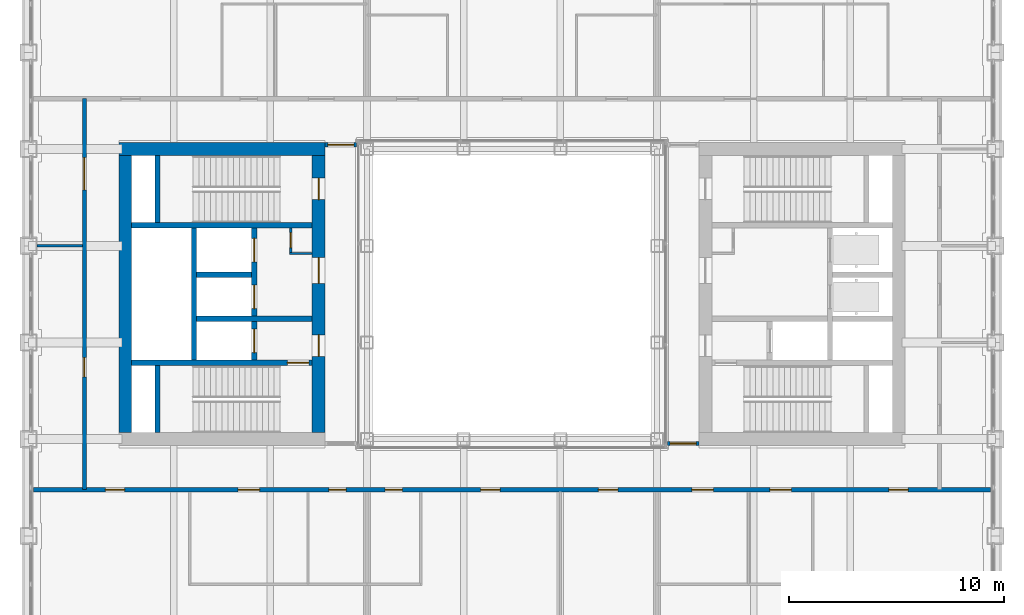
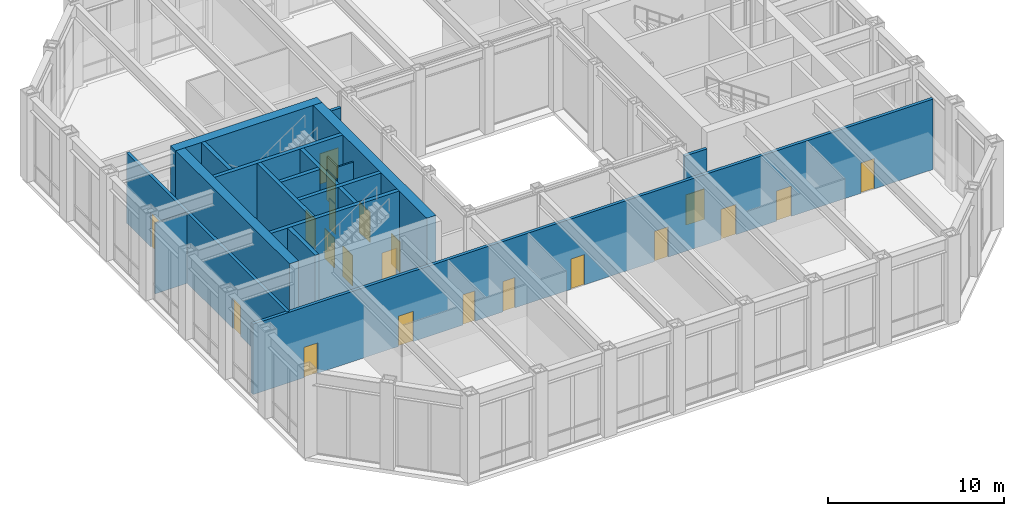
# One storey, part 13 of 22: 21 doors, 18 walls, 21 openings.
"""IFC4 building model written with IfcOpenShell, lengths in metres."""

import ifcopenshell
import ifcopenshell.guid

model = None  # the IFC model being written
_history = None  # IfcOwnerHistory: only IFC2X3 demands one
_inside = {}  # id of a spatial element -> (the spatial element, [elements in it])
_under = {}  # id of a project, library or spatial element -> (it, [spatial elements below it])
_declared = {}  # id of a project -> (the project, [libraries it declares])
_typed = {}  # id of a type object -> (the type object, [elements of that type])
_made_of = {}  # id of a material, layer set ... -> (it, [elements and type objects made of it])


def new_model(schema):
    """Start an empty IFC model of exactly this schema.

    Asked for "IFC4X3", IfcOpenShell would pick the latest addendum, in which some entities
    have other attributes; the version numbers below select the first issue.
    IFC2X3 requires an IfcOwnerHistory on every rooted entity: one is made here for all.
    """
    global model, _history
    if schema == "IFC4X3":
        model = ifcopenshell.file(schema_version=(4, 3, 0, 0))
    else:
        model = ifcopenshell.file(schema=schema)
    _inside.clear()
    _under.clear()
    _declared.clear()
    _typed.clear()
    _made_of.clear()
    _history = None
    if model.schema == "IFC2X3":
        org = make("IfcOrganization", Name="unknown")
        user = make(
            "IfcPersonAndOrganization",
            ThePerson=make("IfcPerson", FamilyName="unknown"),
            TheOrganization=org,
        )
        app = make(
            "IfcApplication",
            ApplicationDeveloper=org,
            Version="unknown",
            ApplicationFullName="unknown",
            ApplicationIdentifier="unknown",
        )
        _history = make(
            "IfcOwnerHistory",
            OwningUser=user,
            OwningApplication=app,
            ChangeAction="ADDED",
            CreationDate=0,
        )
    return model


def make(cls, **values):
    """One entity of the class cls with the attributes given. An attribute that is None is left unset."""
    return model.create_entity(
        cls, **{name: value for name, value in values.items() if value is not None}
    )


def rooted(cls, **values):
    """An entity with a GlobalId (a new one), such as an element, a storey or a relation."""
    return make(cls, GlobalId=ifcopenshell.guid.new(), OwnerHistory=_history, **values)


def si_unit(unit_type, name, prefix=None):
    """IfcSIUnit, for example si_unit("LENGTHUNIT", "METRE", prefix="MILLI")."""
    return make("IfcSIUnit", UnitType=unit_type, Prefix=prefix, Name=name)


def assignment(units):
    """IfcUnitAssignment: the units of a project."""
    return None if units is None else make("IfcUnitAssignment", Units=units)


def point(xyz):
    """IfcCartesianPoint."""
    return None if xyz is None else make("IfcCartesianPoint", Coordinates=xyz)


def direction(xyz):
    """IfcDirection."""
    return None if xyz is None else make("IfcDirection", DirectionRatios=xyz)


def frame(location, z_axis=None, x_axis=None):
    """IfcAxis2Placement3D, a coordinate frame: its origin and axes. An axis left out is left unset."""
    return make(
        "IfcAxis2Placement3D",
        Location=point(location),
        Axis=direction(z_axis),
        RefDirection=direction(x_axis),
    )


def frame_2d(location, x_axis=None):
    """IfcAxis2Placement2D, a coordinate frame in the plane: its origin and x axis."""
    return make(
        "IfcAxis2Placement2D", Location=point(location), RefDirection=direction(x_axis)
    )


def origin():
    """The frame at (0, 0, 0) with its axes left unset."""
    return frame((0.0, 0.0, 0.0))


def place(relative_to, where):
    """IfcLocalPlacement: puts the frame where relative to a parent placement (None: the world)."""
    return make(
        "IfcLocalPlacement", PlacementRelTo=relative_to, RelativePlacement=where
    )


def context(
    kind, dimensions, precision=None, world=None, true_north=None, identifier=None
):
    """IfcGeometricRepresentationContext, for example the 3D "Model" context."""
    return make(
        "IfcGeometricRepresentationContext",
        ContextIdentifier=identifier,
        ContextType=kind,
        CoordinateSpaceDimension=dimensions,
        Precision=precision,
        WorldCoordinateSystem=world,
        TrueNorth=true_north,
    )


def subcontext(parent, identifier, kind, view, scale=None):
    """IfcGeometricRepresentationSubContext, for example "Body" below "Model"."""
    return make(
        "IfcGeometricRepresentationSubContext",
        ContextIdentifier=identifier,
        ContextType=kind,
        ParentContext=parent,
        TargetScale=scale,
        TargetView=view,
    )


def project(units=None, contexts=None):
    """IfcProject with its units and contexts."""
    return rooted(
        "IfcProject",
        Name="project",
        RepresentationContexts=contexts,
        UnitsInContext=assignment(units),
    )


def spatial(cls, under=None, at=None, **own):
    """A site, building, storey or space (cls), placed at a placement, below another one or the project."""
    s = rooted(cls, ObjectPlacement=at, **own)
    if under is not None:
        _under.setdefault(under.id(), (under, []))[1].append(s)
    return s


def profile(cls, at=None, kind="AREA", **sizes):
    """A parametric profile (cls). Its sizes go by their IFC names, for example OverallWidth=200.0."""
    return make(cls, ProfileType=kind, Position=at, **sizes)


def rectangle(**sizes):
    """IfcRectangleProfileDef."""
    return profile("IfcRectangleProfileDef", **sizes)


def extrude(swept, where, along, depth):
    """IfcExtrudedAreaSolid: the profile swept, set in the frame where, extruded along a direction by depth."""
    return make(
        "IfcExtrudedAreaSolid",
        SweptArea=swept,
        Position=where,
        ExtrudedDirection=direction(along),
        Depth=depth,
    )


def shape(context_of_items, identifier, shape_type, items):
    """IfcShapeRepresentation: the items that make up one representation, for example the "Body"."""
    return make(
        "IfcShapeRepresentation",
        ContextOfItems=context_of_items,
        RepresentationIdentifier=identifier,
        RepresentationType=shape_type,
        Items=items,
    )


def material(Name=None, Category=None):
    """IfcMaterial."""
    return make("IfcMaterial", Name=Name, Category=Category)


def layer(
    of_material, thickness, ventilated=None, Name=None, Category=None, Priority=None
):
    """IfcMaterialLayer: one layer of a wall or slab, of a material (None: an air gap)."""
    return make(
        "IfcMaterialLayer",
        Material=of_material,
        LayerThickness=thickness,
        IsVentilated=ventilated,
        Name=Name,
        Category=Category,
        Priority=Priority,
    )


def layer_set(layers, Name=None):
    """IfcMaterialLayerSet."""
    return make("IfcMaterialLayerSet", MaterialLayers=layers, LayerSetName=Name)


def made_of(thing, what):
    """Note that an element or type object is made of a material, layer set ...; save() writes the relation."""
    if what is not None:
        _made_of.setdefault(what.id(), (what, []))[1].append(thing)
    return thing


def type_object(cls, material=None, **own):
    """A type object (cls), such as IfcWallType, which elements share."""
    return made_of(rooted(cls, **own), material)


def element(
    cls,
    number,
    at=None,
    inside=None,
    cuts=None,
    type_object=None,
    material=None,
    context=None,
    identifier="Body",
    shape_type=None,
    held_by="IfcProductDefinitionShape",
    body=None,
    shapes=None,
    **own,
):
    """One element of the class cls, such as IfcWall. Its Tag is "e" and its number.

    at: its placement. inside: the storey or other place that contains it. cuts: it is an
    opening in that element (IfcRelVoidsElement). A single representation is given by context,
    identifier, shape_type and body (its items); several are given by shapes. held_by: the class
    of the entity that holds the representations. save() writes the other relations.
    """
    e = rooted(cls, Tag="e%d" % number, ObjectPlacement=at, **own)
    if body is not None:
        shapes = [shape(context, identifier, shape_type, body)]
    if shapes is not None:
        e.Representation = make(held_by, Representations=shapes)
    if inside is not None:
        _inside.setdefault(inside.id(), (inside, []))[1].append(e)
    if cuts is not None:
        rooted(
            "IfcRelVoidsElement", RelatingBuildingElement=cuts, RelatedOpeningElement=e
        )
    if type_object is not None:
        _typed.setdefault(type_object.id(), (type_object, []))[1].append(e)
    return made_of(e, material)


def fill(opening, filler):
    """IfcRelFillsElement: the door or window that sits in an opening."""
    return rooted(
        "IfcRelFillsElement",
        RelatingOpeningElement=opening,
        RelatedBuildingElement=filler,
    )


def aggregate(whole, parts):
    """IfcRelAggregates: a whole, such as a stair, and the parts it consists of."""
    return rooted("IfcRelAggregates", RelatingObject=whole, RelatedObjects=parts)


def save(model, path):
    """Write the relations noted so far, then the file.

    IfcRelAggregates (storeys below a building ...), IfcRelContainedInSpatialStructure (elements
    in a storey), IfcRelDefinesByType, IfcRelAssociatesMaterial and IfcRelDeclares: one each for
    every whole, place, type object, material and project.
    """
    for whole, parts in _under.values():
        aggregate(whole, parts)
    for where, things in _inside.values():
        rooted(
            "IfcRelContainedInSpatialStructure",
            RelatedElements=things,
            RelatingStructure=where,
        )
    for kind, things in _typed.values():
        rooted("IfcRelDefinesByType", RelatedObjects=things, RelatingType=kind)
    for what, things in _made_of.values():
        rooted("IfcRelAssociatesMaterial", RelatedObjects=things, RelatingMaterial=what)
    for by, libraries in _declared.values():
        rooted("IfcRelDeclares", RelatingContext=by, RelatedDefinitions=libraries)
    model.write(path)


model = new_model("IFC4")

# Units and contexts
model_context = context("Model", 3, precision=1e-05, world=origin(), true_north=direction((0.0, 1.0)))
body_context = subcontext(model_context, "Body", "Model", "MODEL_VIEW")
ifc_project = project(units=[si_unit("LENGTHUNIT", "METRE"), si_unit("AREAUNIT", "SQUARE_METRE"), si_unit("VOLUMEUNIT", "CUBIC_METRE"), si_unit("PLANEANGLEUNIT", "RADIAN"), si_unit("MASSUNIT", "GRAM", prefix="KILO")], contexts=[model_context])

# Site, building, storey
site_placement = place(None, origin())
site = spatial("IfcSite", under=ifc_project, at=site_placement, CompositionType="ELEMENT")
building_placement = place(site_placement, origin())
building = spatial("IfcBuilding", under=site, at=building_placement, Name="Msasa Ring Tower", CompositionType="ELEMENT")
storey_placement = place(building_placement, frame((0.0, 0.0, 112.39990234375)))
storey = spatial("IfcBuildingStorey", under=building, at=storey_placement, Name="L29", CompositionType="ELEMENT", Elevation=112.39990234375)

# Wall
ifc_material_1 = material(Name="Concrete C60/75", Category="concrete")
ifc_layer_1 = layer(ifc_material_1, 0.60009765625)
ifc_layer_set_1 = layer_set([ifc_layer_1], Name="CW2 CORE WALL 600")
wall_type_1 = type_object("IfcWallType", Name="CW2 CORE WALL 600", PredefinedType="SHEAR", material=ifc_layer_set_1)
wall_1_placement = place(storey_placement, frame((-8.699951171875, 6.75, 0.0), z_axis=(0.0, 0.0, 1.0), x_axis=(-1.0, 0.0, 0.0)))
element("IfcWall", 1, at=wall_1_placement, inside=storey, type_object=wall_type_1, Name="W core wall N L29", PredefinedType="SHEAR", context=body_context, shape_type="SweptSolid", body=[
    extrude(rectangle(XDim=9.60009765625, YDim=0.60009765625, at=frame_2d((4.800048828125, 0.0))), origin(), (0.0, 0.0, 1.0), 6.0),
])

# Wall, openings, doors
wall_2_placement = place(storey_placement, frame((-9.0, -6.449951171875, 0.0), z_axis=(0.0, 0.0, 1.0), x_axis=(0.0, 1.0, 0.0)))
wall_2 = element("IfcWall", 2, at=wall_2_placement, inside=storey, type_object=wall_type_1, Name="W core wall W L29", PredefinedType="SHEAR", context=body_context, shape_type="SweptSolid", body=[
    extrude(rectangle(XDim=12.89990234375, YDim=0.60009765625, at=frame_2d((6.449951171875, 0.0))), origin(), (0.0, 0.0, 1.0), 6.0),
])
opening_1_placement = place(wall_2_placement, frame((3.550048828125, 0.0, 0.0)))
opening_1 = element("IfcOpeningElement", 3, at=opening_1_placement, cuts=wall_2, Name="Opening L29-024", PredefinedType="OPENING", context=body_context, shape_type="SweptSolid", body=[
    extrude(rectangle(XDim=1.0, YDim=2.10009765625, at=frame_2d((0.5, 1.050048828125))), frame((0.0, 0.31005859375, 0.0), z_axis=(0.0, -1.0, 0.0), x_axis=(1.0, 0.0, 0.0)), (0.0, 0.0, 1.0), 0.6201171875),
])
opening_2_placement = place(wall_2_placement, frame((6.949951171875, 0.0, 0.0)))
opening_2 = element("IfcOpeningElement", 4, at=opening_2_placement, cuts=wall_2, Name="Opening L29-021", PredefinedType="OPENING", context=body_context, shape_type="SweptSolid", body=[
    extrude(rectangle(XDim=1.199951171875, YDim=2.10009765625, at=frame_2d((0.60009765625, 1.050048828125))), frame((0.0, 0.31005859375, 0.0), z_axis=(0.0, -1.0, 0.0), x_axis=(1.0, 0.0, 0.0)), (0.0, 0.0, 1.0), 0.6201171875),
])
opening_3_placement = place(wall_2_placement, frame((10.85009765625, 0.0, 0.0)))
opening_3 = element("IfcOpeningElement", 5, at=opening_3_placement, cuts=wall_2, Name="Opening L29-016", PredefinedType="OPENING", context=body_context, shape_type="SweptSolid", body=[
    extrude(rectangle(XDim=1.0, YDim=2.10009765625, at=frame_2d((0.5, 1.050048828125))), frame((0.0, 0.31005859375, 0.0), z_axis=(0.0, -1.0, 0.0), x_axis=(1.0, 0.0, 0.0)), (0.0, 0.0, 1.0), 0.6201171875),
])
ifc_material_2 = material(Name="Timber door leaf in a steel frame", Category="steel")
door_type_1 = type_object("IfcDoorType", Name="D4 LOBBY DOOR 1000x2100", OperationType="SINGLE_SWING_LEFT", PredefinedType="DOOR", material=ifc_material_2)
door_1_placement = place(opening_1_placement, origin())
door_1 = element("IfcDoor", 6, at=door_1_placement, inside=storey, type_object=door_type_1, Name="Door L29-WFFL", OperationType="SINGLE_SWING_LEFT", OverallHeight=2.10009765625, OverallWidth=1.0, PredefinedType="DOOR", context=body_context, shape_type="SweptSolid", body=[
    extrude(rectangle(XDim=1.0, YDim=2.10009765625, at=frame_2d((0.5, 1.050048828125))), frame((0.0, 0.02490234375, 0.0), z_axis=(0.0, -1.0, 0.0), x_axis=(1.0, 0.0, 0.0)), (0.0, 0.0, 1.0), 0.050048828125),
])
fill(opening_1, door_1)
ifc_material_3 = material(Name="Timber door leaf in a steel frame", Category="steel")
door_type_2 = type_object("IfcDoorType", Name="D5 WIDE LOBBY DOOR 1200x2100", OperationType="SINGLE_SWING_LEFT", PredefinedType="DOOR", material=ifc_material_3)
door_2_placement = place(opening_2_placement, origin())
door_2 = element("IfcDoor", 7, at=door_2_placement, inside=storey, type_object=door_type_2, Name="Door L29-WLL", OperationType="SINGLE_SWING_RIGHT", OverallHeight=2.10009765625, OverallWidth=1.199951171875, PredefinedType="DOOR", context=body_context, shape_type="SweptSolid", body=[
    extrude(rectangle(XDim=1.199951171875, YDim=2.10009765625, at=frame_2d((0.60009765625, 1.050048828125))), frame((0.0, 0.02490234375, 0.0), z_axis=(0.0, -1.0, 0.0), x_axis=(1.0, 0.0, 0.0)), (0.0, 0.0, 1.0), 0.050048828125),
])
fill(opening_2, door_2)
ifc_material_4 = material(Name="Timber door leaf in a steel frame", Category="steel")
door_type_3 = type_object("IfcDoorType", Name="D6 STAIR DOOR 1000x2100", OperationType="SINGLE_SWING_LEFT", PredefinedType="DOOR", material=ifc_material_4)
door_3_placement = place(opening_3_placement, origin())
door_3 = element("IfcDoor", 8, at=door_3_placement, inside=storey, type_object=door_type_3, Name="Door L29-WSTB", OperationType="SINGLE_SWING_RIGHT", OverallHeight=2.10009765625, OverallWidth=1.0, PredefinedType="DOOR", context=body_context, shape_type="SweptSolid", body=[
    extrude(rectangle(XDim=1.0, YDim=2.10009765625, at=frame_2d((0.5, 1.050048828125))), frame((0.0, 0.02490234375, 0.0), z_axis=(0.0, -1.0, 0.0), x_axis=(1.0, 0.0, 0.0)), (0.0, 0.0, 1.0), 0.050048828125),
])
fill(opening_3, door_3)

# Wall
wall_3_placement = place(storey_placement, frame((-18.0, -6.449951171875, 0.0), z_axis=(0.0, 0.0, 1.0), x_axis=(0.0, 1.0, 0.0)))
element("IfcWall", 9, at=wall_3_placement, inside=storey, type_object=wall_type_1, Name="W core wall E L29", PredefinedType="SHEAR", context=body_context, shape_type="SweptSolid", body=[
    extrude(rectangle(XDim=12.89990234375, YDim=0.60009765625, at=frame_2d((6.449951171875, 0.0))), origin(), (0.0, 0.0, 1.0), 6.0),
])

# Wall, opening, door
ifc_material_5 = material(Name="Concrete C60/75", Category="concrete")
ifc_layer_2 = layer(ifc_material_5, 0.25)
ifc_layer_set_2 = layer_set([ifc_layer_2], Name="CW4 CORE INNER WALL 250")
wall_type_2 = type_object("IfcWallType", Name="CW4 CORE INNER WALL 250", PredefinedType="SHEAR", material=ifc_layer_set_2)
wall_4_placement = place(storey_placement, frame((-9.300048828125, -3.199951171875, 0.0), z_axis=(0.0, 0.0, 1.0), x_axis=(-1.0, 0.0, 0.0)))
wall_4 = element("IfcWall", 10, at=wall_4_placement, inside=storey, type_object=wall_type_2, Name="W core wall STAIRA L29", PredefinedType="SHEAR", context=body_context, shape_type="SweptSolid", body=[
    extrude(rectangle(XDim=8.39990234375, YDim=0.25, at=frame_2d((4.199951171875, 0.0))), origin(), (0.0, 0.0, 1.0), 6.0),
])
opening_4_placement = place(wall_4_placement, frame((0.14990234375, 0.0, 0.0)))
opening_4 = element("IfcOpeningElement", 11, at=opening_4_placement, cuts=wall_4, Name="Opening L29-026", PredefinedType="OPENING", context=body_context, shape_type="SweptSolid", body=[
    extrude(rectangle(XDim=1.0, YDim=2.10009765625, at=frame_2d((0.5, 1.050048828125))), frame((0.0, 0.135009765625, 0.0), z_axis=(0.0, -1.0, 0.0), x_axis=(1.0, 0.0, 0.0)), (0.0, 0.0, 1.0), 0.27001953125),
])
door_4_placement = place(opening_4_placement, origin())
door_4 = element("IfcDoor", 12, at=door_4_placement, inside=storey, type_object=door_type_3, Name="Door L29-WSTA", OperationType="SINGLE_SWING_LEFT", OverallHeight=2.10009765625, OverallWidth=1.0, PredefinedType="DOOR", context=body_context, shape_type="SweptSolid", body=[
    extrude(rectangle(XDim=1.0, YDim=2.10009765625, at=frame_2d((0.5, 1.050048828125))), frame((0.0, 0.02490234375, 0.0), z_axis=(0.0, -1.0, 0.0), x_axis=(1.0, 0.0, 0.0)), (0.0, 0.0, 1.0), 0.050048828125),
])
fill(opening_4, door_4)

# Walls
wall_5_placement = place(storey_placement, frame((-9.300048828125, 3.199951171875, 0.0), z_axis=(0.0, 0.0, 1.0), x_axis=(-1.0, 0.0, 0.0)))
element("IfcWall", 13, at=wall_5_placement, inside=storey, type_object=wall_type_2, Name="W core wall STAIRB L29", PredefinedType="SHEAR", context=body_context, shape_type="SweptSolid", body=[
    extrude(rectangle(XDim=8.39990234375, YDim=0.25, at=frame_2d((4.199951171875, 0.0))), origin(), (0.0, 0.0, 1.0), 6.0),
])
for number, where, z_axis, x_axis, name in (
    (14, (-16.5, -6.449951171875, 0.0), (0.0, 0.0, 1.0), (0.0, 1.0, 0.0), "W core wall RISERA L29"),
    (15, (-16.5, 3.324951171875, 0.0), (0.0, 0.0, 1.0), (0.0, 1.0, 0.0), "W core wall RISERB L29"),
):
    element("IfcWall", number, at=place(storey_placement, frame(where, z_axis=z_axis, x_axis=x_axis)), inside=storey, type_object=wall_type_2, Name=name, PredefinedType="SHEAR", context=body_context, shape_type="SweptSolid", body=[
        extrude(rectangle(XDim=3.125, YDim=0.25, at=frame_2d((1.5625, 0.0))), origin(), (0.0, 0.0, 1.0), 6.0),
    ])
wall_6_placement = place(storey_placement, frame((-9.300048828125, -1.14990234375, 0.0), z_axis=(0.0, 0.0, 1.0), x_axis=(-1.0, 0.0, 0.0)))
element("IfcWall", 16, at=wall_6_placement, inside=storey, type_object=wall_type_2, Name="W core wall FFL L29", PredefinedType="SHEAR", context=body_context, shape_type="SweptSolid", body=[
    extrude(rectangle(XDim=5.375, YDim=0.25, at=frame_2d((2.6875, 0.0))), origin(), (0.0, 0.0, 1.0), 6.0),
])

# Wall, openings, doors
wall_7_placement = place(storey_placement, frame((-12.0, -3.074951171875, 0.0), z_axis=(0.0, 0.0, 1.0), x_axis=(0.0, 1.0, 0.0)))
wall_7 = element("IfcWall", 17, at=wall_7_placement, inside=storey, type_object=wall_type_2, Name="W core wall LOBBY L29", PredefinedType="SHEAR", context=body_context, shape_type="SweptSolid", body=[
    extrude(rectangle(XDim=6.14990234375, YDim=0.25, at=frame_2d((3.074951171875, 0.0))), origin(), (0.0, 0.0, 1.0), 6.0),
])
opening_5_placement = place(wall_7_placement, frame((0.35009765625, 0.0, 0.0)))
opening_5 = element("IfcOpeningElement", 18, at=opening_5_placement, cuts=wall_7, Name="Opening LD1", PredefinedType="OPENING", context=body_context, shape_type="SweptSolid", body=[
    extrude(rectangle(XDim=1.10009765625, YDim=2.10009765625, at=frame_2d((0.550048828125, 1.050048828125))), frame((0.0, 0.135009765625, 0.0), z_axis=(0.0, -1.0, 0.0), x_axis=(1.0, 0.0, 0.0)), (0.0, 0.0, 1.0), 0.27001953125),
])
opening_6_placement = place(wall_7_placement, frame((2.39990234375, 0.0, 0.0)))
opening_6 = element("IfcOpeningElement", 19, at=opening_6_placement, cuts=wall_7, Name="Opening LD1", PredefinedType="OPENING", context=body_context, shape_type="SweptSolid", body=[
    extrude(rectangle(XDim=1.10009765625, YDim=2.10009765625, at=frame_2d((0.550048828125, 1.050048828125))), frame((0.0, 0.135009765625, 0.0), z_axis=(0.0, -1.0, 0.0), x_axis=(1.0, 0.0, 0.0)), (0.0, 0.0, 1.0), 0.27001953125),
])
opening_7_placement = place(wall_7_placement, frame((4.574951171875, 0.0, 0.0)))
opening_7 = element("IfcOpeningElement", 20, at=opening_7_placement, cuts=wall_7, Name="Opening LD1", PredefinedType="OPENING", context=body_context, shape_type="SweptSolid", body=[
    extrude(rectangle(XDim=1.10009765625, YDim=2.10009765625, at=frame_2d((0.550048828125, 1.050048828125))), frame((0.0, 0.135009765625, 0.0), z_axis=(0.0, -1.0, 0.0), x_axis=(1.0, 0.0, 0.0)), (0.0, 0.0, 1.0), 0.27001953125),
])
ifc_material_6 = material(Name="Stainless steel lift landing door", Category="steel")
door_type_4 = type_object("IfcDoorType", Name="LD1 LIFT LANDING DOOR 1100x2100", OperationType="DOUBLE_DOOR_SLIDING", PredefinedType="DOOR", material=ifc_material_6)
door_5_placement = place(opening_5_placement, origin())
door_5 = element("IfcDoor", 21, at=door_5_placement, inside=storey, type_object=door_type_4, Name="Lift landing door FL-W L29", OperationType="DOUBLE_DOOR_SLIDING", OverallHeight=2.10009765625, OverallWidth=1.10009765625, PredefinedType="DOOR", context=body_context, shape_type="SweptSolid", body=[
    extrude(rectangle(XDim=1.10009765625, YDim=2.10009765625, at=frame_2d((0.550048828125, 1.050048828125))), frame((0.0, 0.02490234375, 0.0), z_axis=(0.0, -1.0, 0.0), x_axis=(1.0, 0.0, 0.0)), (0.0, 0.0, 1.0), 0.050048828125),
])
fill(opening_5, door_5)
door_6_placement = place(opening_6_placement, origin())
door_6 = element("IfcDoor", 22, at=door_6_placement, inside=storey, type_object=door_type_4, Name="Lift landing door PL-X1 L29", OperationType="DOUBLE_DOOR_SLIDING", OverallHeight=2.10009765625, OverallWidth=1.10009765625, PredefinedType="DOOR", context=body_context, shape_type="SweptSolid", body=[
    extrude(rectangle(XDim=1.10009765625, YDim=2.10009765625, at=frame_2d((0.550048828125, 1.050048828125))), frame((0.0, 0.02490234375, 0.0), z_axis=(0.0, -1.0, 0.0), x_axis=(1.0, 0.0, 0.0)), (0.0, 0.0, 1.0), 0.050048828125),
])
fill(opening_6, door_6)
door_7_placement = place(opening_7_placement, origin())
door_7 = element("IfcDoor", 23, at=door_7_placement, inside=storey, type_object=door_type_4, Name="Lift landing door PL-X2 L29", OperationType="DOUBLE_DOOR_SLIDING", OverallHeight=2.10009765625, OverallWidth=1.10009765625, PredefinedType="DOOR", context=body_context, shape_type="SweptSolid", body=[
    extrude(rectangle(XDim=1.10009765625, YDim=2.10009765625, at=frame_2d((0.550048828125, 1.050048828125))), frame((0.0, 0.02490234375, 0.0), z_axis=(0.0, -1.0, 0.0), x_axis=(1.0, 0.0, 0.0)), (0.0, 0.0, 1.0), 0.050048828125),
])
fill(opening_7, door_7)

# Walls
wall_8_placement = place(storey_placement, frame((-14.800048828125, -3.074951171875, 0.0), z_axis=(0.0, 0.0, 1.0), x_axis=(0.0, 1.0, 0.0)))
element("IfcWall", 24, at=wall_8_placement, inside=storey, type_object=wall_type_2, Name="W core wall SHAFT L29", PredefinedType="SHEAR", context=body_context, shape_type="SweptSolid", body=[
    extrude(rectangle(XDim=6.14990234375, YDim=0.25, at=frame_2d((3.074951171875, 0.0))), origin(), (0.0, 0.0, 1.0), 6.0),
])
wall_9_placement = place(storey_placement, frame((-12.125, 0.89990234375, 0.0), z_axis=(0.0, 0.0, 1.0), x_axis=(-1.0, 0.0, 0.0)))
element("IfcWall", 25, at=wall_9_placement, inside=storey, type_object=wall_type_2, Name="W core wall LIFT1 L29", PredefinedType="SHEAR", context=body_context, shape_type="SweptSolid", body=[
    extrude(rectangle(XDim=2.550048828125, YDim=0.25, at=frame_2d((1.27490234375, 0.0))), origin(), (0.0, 0.0, 1.0), 6.0),
])

# Wall, opening, door
ifc_material_7 = material(Name="Concrete blockwork", Category="masonry")
ifc_layer_3 = layer(ifc_material_7, 0.199951171875)
ifc_layer_set_3 = layer_set([ifc_layer_3], Name="PT1 CORRIDOR WALL 200")
wall_type_3 = type_object("IfcWallType", Name="PT1 CORRIDOR WALL 200", PredefinedType="PARTITIONING", material=ifc_layer_set_3)
wall_10_placement = place(storey_placement, frame((7.22998046875, -6.949951171875, 0.0), z_axis=(0.0, 0.0, 1.0), x_axis=(1.0, 0.0, 0.0)))
wall_10 = element("IfcWall", 26, at=wall_10_placement, inside=storey, type_object=wall_type_3, Name="Corridor wall L29-SDES", PredefinedType="PARTITIONING", context=body_context, shape_type="SweptSolid", body=[
    extrude(rectangle(XDim=1.469970703125, YDim=0.199951171875, at=frame_2d((0.73486328125, 0.0))), origin(), (0.0, 0.0, 1.0), 4.87353515625),
])
opening_8_placement = place(wall_10_placement, frame((0.135009765625, 0.0, 0.0)))
opening_8 = element("IfcOpeningElement", 27, at=opening_8_placement, cuts=wall_10, Name="Opening L29-031", PredefinedType="OPENING", context=body_context, shape_type="SweptSolid", body=[
    extrude(rectangle(XDim=1.199951171875, YDim=2.10009765625, at=frame_2d((0.60009765625, 1.050048828125))), frame((0.0, 0.10986328125, 0.0), z_axis=(0.0, -1.0, 0.0), x_axis=(1.0, 0.0, 0.0)), (0.0, 0.0, 1.0), 0.219970703125),
])
ifc_material_8 = material(Name="Timber door leaf in a steel frame", Category="steel")
door_type_5 = type_object("IfcDoorType", Name="D25 CORRIDOR PAIR OF SMOKE DOORS 1200x2100", OperationType="DOUBLE_DOOR_DOUBLE_SWING", PredefinedType="DOOR", material=ifc_material_8)
door_8_placement = place(opening_8_placement, origin())
door_8 = element("IfcDoor", 28, at=door_8_placement, inside=storey, type_object=door_type_5, Name="Door L29-SDES", OperationType="DOUBLE_DOOR_DOUBLE_SWING", OverallHeight=2.10009765625, OverallWidth=1.199951171875, PredefinedType="DOOR", context=body_context, shape_type="SweptSolid", body=[
    extrude(rectangle(XDim=1.199951171875, YDim=2.10009765625, at=frame_2d((0.60009765625, 1.050048828125))), frame((0.0, 0.02490234375, 0.0), z_axis=(0.0, -1.0, 0.0), x_axis=(1.0, 0.0, 0.0)), (0.0, 0.0, 1.0), 0.050048828125),
])
fill(opening_8, door_8)

wall_11_placement = place(storey_placement, frame((-8.699951171875, 6.949951171875, 0.0), z_axis=(0.0, 0.0, 1.0), x_axis=(1.0, 0.0, 0.0)))
wall_11 = element("IfcWall", 29, at=wall_11_placement, inside=storey, type_object=wall_type_3, Name="Corridor wall L29-SDWN", PredefinedType="PARTITIONING", context=body_context, shape_type="SweptSolid", body=[
    extrude(rectangle(XDim=1.469970703125, YDim=0.199951171875, at=frame_2d((0.73486328125, 0.0))), origin(), (0.0, 0.0, 1.0), 4.87353515625),
])
opening_9_placement = place(wall_11_placement, frame((0.135009765625, 0.0, 0.0)))
opening_9 = element("IfcOpeningElement", 30, at=opening_9_placement, cuts=wall_11, Name="Opening L29-013", PredefinedType="OPENING", context=body_context, shape_type="SweptSolid", body=[
    extrude(rectangle(XDim=1.199951171875, YDim=2.10009765625, at=frame_2d((0.60009765625, 1.050048828125))), frame((0.0, 0.10986328125, 0.0), z_axis=(0.0, -1.0, 0.0), x_axis=(1.0, 0.0, 0.0)), (0.0, 0.0, 1.0), 0.219970703125),
])
door_9_placement = place(opening_9_placement, origin())
door_9 = element("IfcDoor", 31, at=door_9_placement, inside=storey, type_object=door_type_5, Name="Door L29-SDWN", OperationType="DOUBLE_DOOR_DOUBLE_SWING", OverallHeight=2.10009765625, OverallWidth=1.199951171875, PredefinedType="DOOR", context=body_context, shape_type="SweptSolid", body=[
    extrude(rectangle(XDim=1.199951171875, YDim=2.10009765625, at=frame_2d((0.60009765625, 1.050048828125))), frame((0.0, 0.02490234375, 0.0), z_axis=(0.0, -1.0, 0.0), x_axis=(1.0, 0.0, 0.0)), (0.0, 0.0, 1.0), 0.050048828125),
])
fill(opening_9, door_9)

# Wall, openings, doors
wall_12_placement = place(storey_placement, frame((-22.27490234375, -9.10009765625, 0.0), z_axis=(0.0, 0.0, 1.0), x_axis=(1.0, 0.0, 0.0)))
wall_12 = element("IfcWall", 32, at=wall_12_placement, inside=storey, type_object=wall_type_3, Name="Corridor wall L29-CORRS0", PredefinedType="PARTITIONING", context=body_context, shape_type="SweptSolid", body=[
    extrude(rectangle(XDim=44.5498046875, YDim=0.199951171875, at=frame_2d((22.27490234375, 0.0))), origin(), (0.0, 0.0, 1.0), 4.87353515625),
])
opening_10_placement = place(wall_12_placement, frame((3.347900390625, 0.0, 0.0)))
opening_10 = element("IfcOpeningElement", 33, at=opening_10_placement, cuts=wall_12, Name="Opening L29-032", PredefinedType="OPENING", context=body_context, shape_type="SweptSolid", body=[
    extrude(rectangle(XDim=0.89990234375, YDim=2.10009765625, at=frame_2d((0.449951171875, 1.050048828125))), frame((0.0, 0.10986328125, 0.0), z_axis=(0.0, -1.0, 0.0), x_axis=(1.0, 0.0, 0.0)), (0.0, 0.0, 1.0), 0.219970703125),
])
opening_11_placement = place(wall_12_placement, frame((9.52490234375, 0.0, 0.0)))
opening_11 = element("IfcOpeningElement", 34, at=opening_11_placement, cuts=wall_12, Name="Opening L29-033", PredefinedType="OPENING", context=body_context, shape_type="SweptSolid", body=[
    extrude(rectangle(XDim=1.0, YDim=2.10009765625, at=frame_2d((0.5, 1.050048828125))), frame((0.0, 0.10986328125, 0.0), z_axis=(0.0, -1.0, 0.0), x_axis=(1.0, 0.0, 0.0)), (0.0, 0.0, 1.0), 0.219970703125),
])
opening_12_placement = place(wall_12_placement, frame((13.75, 0.0, 0.0)))
opening_12 = element("IfcOpeningElement", 35, at=opening_12_placement, cuts=wall_12, Name="Opening L29-034", PredefinedType="OPENING", context=body_context, shape_type="SweptSolid", body=[
    extrude(rectangle(XDim=0.800048828125, YDim=2.10009765625, at=frame_2d((0.39990234375, 1.050048828125))), frame((0.0, 0.10986328125, 0.0), z_axis=(0.0, -1.0, 0.0), x_axis=(1.0, 0.0, 0.0)), (0.0, 0.0, 1.0), 0.219970703125),
])
opening_13_placement = place(wall_12_placement, frame((20.81689453125, 0.0, 0.0)))
opening_13 = element("IfcOpeningElement", 36, at=opening_13_placement, cuts=wall_12, Name="Opening L29-036", PredefinedType="OPENING", context=body_context, shape_type="SweptSolid", body=[
    extrude(rectangle(XDim=0.89990234375, YDim=2.10009765625, at=frame_2d((0.449951171875, 1.050048828125))), frame((0.0, 0.10986328125, 0.0), z_axis=(0.0, -1.0, 0.0), x_axis=(1.0, 0.0, 0.0)), (0.0, 0.0, 1.0), 0.219970703125),
])
opening_14_placement = place(wall_12_placement, frame((26.300048828125, 0.0, 0.0)))
opening_14 = element("IfcOpeningElement", 37, at=opening_14_placement, cuts=wall_12, Name="Opening L29-037", PredefinedType="OPENING", context=body_context, shape_type="SweptSolid", body=[
    extrude(rectangle(XDim=0.89990234375, YDim=2.10009765625, at=frame_2d((0.449951171875, 1.050048828125))), frame((0.0, 0.10986328125, 0.0), z_axis=(0.0, -1.0, 0.0), x_axis=(1.0, 0.0, 0.0)), (0.0, 0.0, 1.0), 0.219970703125),
])
opening_15_placement = place(wall_12_placement, frame((16.375, 0.0, 0.0)))
opening_15 = element("IfcOpeningElement", 38, at=opening_15_placement, cuts=wall_12, Name="Opening L29-035", PredefinedType="OPENING", context=body_context, shape_type="SweptSolid", body=[
    extrude(rectangle(XDim=0.800048828125, YDim=2.10009765625, at=frame_2d((0.39990234375, 1.050048828125))), frame((0.0, 0.10986328125, 0.0), z_axis=(0.0, -1.0, 0.0), x_axis=(1.0, 0.0, 0.0)), (0.0, 0.0, 1.0), 0.219970703125),
])
opening_16_placement = place(wall_12_placement, frame((39.811279296875, 0.0, 0.0)))
opening_16 = element("IfcOpeningElement", 39, at=opening_16_placement, cuts=wall_12, Name="Opening L29-040", PredefinedType="OPENING", context=body_context, shape_type="SweptSolid", body=[
    extrude(rectangle(XDim=0.89990234375, YDim=2.10009765625, at=frame_2d((0.449951171875, 1.050048828125))), frame((0.0, 0.10986328125, 0.0), z_axis=(0.0, -1.0, 0.0), x_axis=(1.0, 0.0, 0.0)), (0.0, 0.0, 1.0), 0.219970703125),
])
opening_17_placement = place(wall_12_placement, frame((30.64990234375, 0.0, 0.0)))
opening_17 = element("IfcOpeningElement", 40, at=opening_17_placement, cuts=wall_12, Name="Opening L29-038", PredefinedType="OPENING", context=body_context, shape_type="SweptSolid", body=[
    extrude(rectangle(XDim=1.0, YDim=2.10009765625, at=frame_2d((0.5, 1.050048828125))), frame((0.0, 0.10986328125, 0.0), z_axis=(0.0, -1.0, 0.0), x_axis=(1.0, 0.0, 0.0)), (0.0, 0.0, 1.0), 0.219970703125),
])
opening_18_placement = place(wall_12_placement, frame((34.27490234375, 0.0, 0.0)))
opening_18 = element("IfcOpeningElement", 41, at=opening_18_placement, cuts=wall_12, Name="Opening L29-039", PredefinedType="OPENING", context=body_context, shape_type="SweptSolid", body=[
    extrude(rectangle(XDim=1.0, YDim=2.10009765625, at=frame_2d((0.5, 1.050048828125))), frame((0.0, 0.10986328125, 0.0), z_axis=(0.0, -1.0, 0.0), x_axis=(1.0, 0.0, 0.0)), (0.0, 0.0, 1.0), 0.219970703125),
])
ifc_material_9 = material(Name="Timber door leaf in a steel frame", Category="steel")
door_type_6 = type_object("IfcDoorType", Name="D1 SINGLE DOOR TO CORRIDOR 900x2100", OperationType="SINGLE_SWING_LEFT", PredefinedType="DOOR", material=ifc_material_9)
door_10_placement = place(opening_10_placement, origin())
door_10 = element("IfcDoor", 42, at=door_10_placement, inside=storey, type_object=door_type_6, Name="Door L29-SLS0F0", OperationType="SINGLE_SWING_LEFT", OverallHeight=2.10009765625, OverallWidth=0.89990234375, PredefinedType="DOOR", context=body_context, shape_type="SweptSolid", body=[
    extrude(rectangle(XDim=0.89990234375, YDim=2.10009765625, at=frame_2d((0.449951171875, 1.050048828125))), frame((0.0, 0.02490234375, 0.0), z_axis=(0.0, -1.0, 0.0), x_axis=(1.0, 0.0, 0.0)), (0.0, 0.0, 1.0), 0.050048828125),
])
fill(opening_10, door_10)
door_11_placement = place(opening_13_placement, origin())
door_11 = element("IfcDoor", 43, at=door_11_placement, inside=storey, type_object=door_type_6, Name="Door L29-SLS1F0", OperationType="SINGLE_SWING_LEFT", OverallHeight=2.10009765625, OverallWidth=0.89990234375, PredefinedType="DOOR", context=body_context, shape_type="SweptSolid", body=[
    extrude(rectangle(XDim=0.89990234375, YDim=2.10009765625, at=frame_2d((0.449951171875, 1.050048828125))), frame((0.0, 0.02490234375, 0.0), z_axis=(0.0, -1.0, 0.0), x_axis=(1.0, 0.0, 0.0)), (0.0, 0.0, 1.0), 0.050048828125),
])
fill(opening_13, door_11)
door_12_placement = place(opening_14_placement, origin())
door_12 = element("IfcDoor", 44, at=door_12_placement, inside=storey, type_object=door_type_6, Name="Door L29-SLS1F1", OperationType="SINGLE_SWING_RIGHT", OverallHeight=2.10009765625, OverallWidth=0.89990234375, PredefinedType="DOOR", context=body_context, shape_type="SweptSolid", body=[
    extrude(rectangle(XDim=0.89990234375, YDim=2.10009765625, at=frame_2d((0.449951171875, 1.050048828125))), frame((0.0, 0.02490234375, 0.0), z_axis=(0.0, -1.0, 0.0), x_axis=(1.0, 0.0, 0.0)), (0.0, 0.0, 1.0), 0.050048828125),
])
fill(opening_14, door_12)
door_13_placement = place(opening_16_placement, origin())
door_13 = element("IfcDoor", 45, at=door_13_placement, inside=storey, type_object=door_type_6, Name="Door L29-SLS2F0", OperationType="SINGLE_SWING_RIGHT", OverallHeight=2.10009765625, OverallWidth=0.89990234375, PredefinedType="DOOR", context=body_context, shape_type="SweptSolid", body=[
    extrude(rectangle(XDim=0.89990234375, YDim=2.10009765625, at=frame_2d((0.449951171875, 1.050048828125))), frame((0.0, 0.02490234375, 0.0), z_axis=(0.0, -1.0, 0.0), x_axis=(1.0, 0.0, 0.0)), (0.0, 0.0, 1.0), 0.050048828125),
])
fill(opening_16, door_13)
ifc_material_10 = material(Name="Timber door leaf in a steel frame", Category="steel")
door_type_7 = type_object("IfcDoorType", Name="D10 STORE DOOR 1000x2100", OperationType="SINGLE_SWING_LEFT", PredefinedType="DOOR", material=ifc_material_10)
door_14_placement = place(opening_17_placement, origin())
door_14 = element("IfcDoor", 46, at=door_14_placement, inside=storey, type_object=door_type_7, Name="Door L29-SLS2B0", OperationType="SINGLE_SWING_RIGHT", OverallHeight=2.10009765625, OverallWidth=1.0, PredefinedType="DOOR", context=body_context, shape_type="SweptSolid", body=[
    extrude(rectangle(XDim=1.0, YDim=2.10009765625, at=frame_2d((0.5, 1.050048828125))), frame((0.0, 0.02490234375, 0.0), z_axis=(0.0, -1.0, 0.0), x_axis=(1.0, 0.0, 0.0)), (0.0, 0.0, 1.0), 0.050048828125),
])
fill(opening_17, door_14)
door_15_placement = place(opening_18_placement, origin())
door_15 = element("IfcDoor", 47, at=door_15_placement, inside=storey, type_object=door_type_7, Name="Door L29-SLS2B1", OperationType="SINGLE_SWING_RIGHT", OverallHeight=2.10009765625, OverallWidth=1.0, PredefinedType="DOOR", context=body_context, shape_type="SweptSolid", body=[
    extrude(rectangle(XDim=1.0, YDim=2.10009765625, at=frame_2d((0.5, 1.050048828125))), frame((0.0, 0.02490234375, 0.0), z_axis=(0.0, -1.0, 0.0), x_axis=(1.0, 0.0, 0.0)), (0.0, 0.0, 1.0), 0.050048828125),
])
fill(opening_18, door_15)
ifc_material_11 = material(Name="Timber door leaf in a steel frame", Category="steel")
door_type_8 = type_object("IfcDoorType", Name="D11 NARROW STORE DOOR 800x2100", OperationType="SINGLE_SWING_LEFT", PredefinedType="DOOR", material=ifc_material_11)
door_16_placement = place(opening_12_placement, origin())
door_16 = element("IfcDoor", 48, at=door_16_placement, inside=storey, type_object=door_type_8, Name="Door L29-SLS0B1", OperationType="SINGLE_SWING_LEFT", OverallHeight=2.10009765625, OverallWidth=0.800048828125, PredefinedType="DOOR", context=body_context, shape_type="SweptSolid", body=[
    extrude(rectangle(XDim=0.800048828125, YDim=2.10009765625, at=frame_2d((0.39990234375, 1.050048828125))), frame((0.0, 0.02490234375, 0.0), z_axis=(0.0, -1.0, 0.0), x_axis=(1.0, 0.0, 0.0)), (0.0, 0.0, 1.0), 0.050048828125),
])
fill(opening_12, door_16)
door_17_placement = place(opening_15_placement, origin())
door_17 = element("IfcDoor", 49, at=door_17_placement, inside=storey, type_object=door_type_8, Name="Door L29-SLS1B0", OperationType="SINGLE_SWING_LEFT", OverallHeight=2.10009765625, OverallWidth=0.800048828125, PredefinedType="DOOR", context=body_context, shape_type="SweptSolid", body=[
    extrude(rectangle(XDim=0.800048828125, YDim=2.10009765625, at=frame_2d((0.39990234375, 1.050048828125))), frame((0.0, 0.02490234375, 0.0), z_axis=(0.0, -1.0, 0.0), x_axis=(1.0, 0.0, 0.0)), (0.0, 0.0, 1.0), 0.050048828125),
])
fill(opening_15, door_17)
ifc_material_12 = material(Name="Timber door leaf in a steel frame", Category="steel")
door_type_9 = type_object("IfcDoorType", Name="D40 SINGLE DOOR TO CORRIDOR 1000x2100", OperationType="SINGLE_SWING_LEFT", PredefinedType="DOOR", material=ifc_material_12)
door_18_placement = place(opening_11_placement, origin())
door_18 = element("IfcDoor", 50, at=door_18_placement, inside=storey, type_object=door_type_9, Name="Door L29-SLS0B0", OperationType="SINGLE_SWING_LEFT", OverallHeight=2.10009765625, OverallWidth=1.0, PredefinedType="DOOR", context=body_context, shape_type="SweptSolid", body=[
    extrude(rectangle(XDim=1.0, YDim=2.10009765625, at=frame_2d((0.5, 1.050048828125))), frame((0.0, 0.02490234375, 0.0), z_axis=(0.0, -1.0, 0.0), x_axis=(1.0, 0.0, 0.0)), (0.0, 0.0, 1.0), 0.050048828125),
])
fill(opening_11, door_18)

wall_13_placement = place(storey_placement, frame((-19.89990234375, -9.10009765625, 0.0), z_axis=(0.0, 0.0, 1.0), x_axis=(0.0, 1.0, 0.0)))
wall_13 = element("IfcWall", 51, at=wall_13_placement, inside=storey, type_object=wall_type_3, Name="Corridor wall L29-STRW", PredefinedType="PARTITIONING", context=body_context, shape_type="SweptSolid", body=[
    extrude(rectangle(XDim=18.2001953125, YDim=0.199951171875, at=frame_2d((9.10009765625, 0.0))), origin(), (0.0, 0.0, 1.0), 4.87353515625),
])
opening_19_placement = place(wall_13_placement, frame((13.949951171875, 0.0, 0.0)))
opening_19 = element("IfcOpeningElement", 52, at=opening_19_placement, cuts=wall_13, Name="Opening L29-015", PredefinedType="OPENING", context=body_context, shape_type="SweptSolid", body=[
    extrude(rectangle(XDim=1.5, YDim=2.39990234375, at=frame_2d((0.75, 1.199951171875))), frame((0.0, 0.10986328125, 0.0), z_axis=(0.0, -1.0, 0.0), x_axis=(1.0, 0.0, 0.0)), (0.0, 0.0, 1.0), 0.219970703125),
])
opening_20_placement = place(wall_13_placement, frame((5.25, 0.0, 0.0)))
opening_20 = element("IfcOpeningElement", 53, at=opening_20_placement, cuts=wall_13, Name="Opening L29-028", PredefinedType="OPENING", context=body_context, shape_type="SweptSolid", body=[
    extrude(rectangle(XDim=0.89990234375, YDim=2.10009765625, at=frame_2d((0.449951171875, 1.050048828125))), frame((0.0, 0.10986328125, 0.0), z_axis=(0.0, -1.0, 0.0), x_axis=(1.0, 0.0, 0.0)), (0.0, 0.0, 1.0), 0.219970703125),
])
door_19_placement = place(opening_20_placement, origin())
door_19 = element("IfcDoor", 54, at=door_19_placement, inside=storey, type_object=door_type_6, Name="Door L29-CON", OperationType="SINGLE_SWING_LEFT", OverallHeight=2.10009765625, OverallWidth=0.89990234375, PredefinedType="DOOR", context=body_context, shape_type="SweptSolid", body=[
    extrude(rectangle(XDim=0.89990234375, YDim=2.10009765625, at=frame_2d((0.449951171875, 1.050048828125))), frame((0.0, 0.02490234375, 0.0), z_axis=(0.0, -1.0, 0.0), x_axis=(1.0, 0.0, 0.0)), (0.0, 0.0, 1.0), 0.050048828125),
])
fill(opening_20, door_19)
ifc_material_13 = material(Name="Timber door leaf in a steel frame", Category="steel")
door_type_10 = type_object("IfcDoorType", Name="D24 LUGGAGE STORE PAIR OF DOORS 1500x2400", OperationType="SINGLE_SWING_LEFT", PredefinedType="DOOR", material=ifc_material_13)
door_20_placement = place(opening_19_placement, origin())
door_20 = element("IfcDoor", 55, at=door_20_placement, inside=storey, type_object=door_type_10, Name="Door L29-LUG", OperationType="SINGLE_SWING_RIGHT", OverallHeight=2.39990234375, OverallWidth=1.5, PredefinedType="DOOR", context=body_context, shape_type="SweptSolid", body=[
    extrude(rectangle(XDim=1.5, YDim=2.39990234375, at=frame_2d((0.75, 1.199951171875))), frame((0.0, 0.02490234375, 0.0), z_axis=(0.0, -1.0, 0.0), x_axis=(1.0, 0.0, 0.0)), (0.0, 0.0, 1.0), 0.050048828125),
])
fill(opening_19, door_20)

# Walls
ifc_material_14 = material(Name="Gypsum board on steel studs", Category="steel")
ifc_layer_4 = layer(ifc_material_14, 0.10009765625)
ifc_layer_set_4 = layer_set([ifc_layer_4], Name="PT2 STUD PARTITION 100")
wall_type_4 = type_object("IfcWallType", Name="PT2 STUD PARTITION 100", PredefinedType="PARTITIONING", material=ifc_layer_set_4)
wall_14_placement = place(storey_placement, frame((-22.10009765625, 2.25, 0.0), z_axis=(0.0, 0.0, 1.0), x_axis=(1.0, 0.0, 0.0)))
element("IfcWall", 56, at=wall_14_placement, inside=storey, type_object=wall_type_4, Name="Partition L29-LUGX", PredefinedType="PARTITIONING", context=body_context, shape_type="SweptSolid", body=[
    extrude(rectangle(XDim=2.10009765625, YDim=0.10009765625, at=frame_2d((1.050048828125, 0.0))), origin(), (0.0, 0.0, 1.0), 4.87353515625),
])
wall_15_placement = place(storey_placement, frame((-10.35009765625, 1.89990234375, 0.0), z_axis=(0.0, 0.0, 1.0), x_axis=(1.0, 0.0, 0.0)))
element("IfcWall", 57, at=wall_15_placement, inside=storey, type_object=wall_type_4, Name="Partition L29-WKP1", PredefinedType="PARTITIONING", context=body_context, shape_type="SweptSolid", body=[
    extrude(rectangle(XDim=1.050048828125, YDim=0.10009765625, at=frame_2d((0.52490234375, 0.0))), origin(), (0.0, 0.0, 1.0), 4.87353515625),
])

# Wall, opening, door
wall_16_placement = place(storey_placement, frame((-10.300048828125, 1.949951171875, 0.0), z_axis=(0.0, 0.0, 1.0), x_axis=(0.0, 1.0, 0.0)))
wall_16 = element("IfcWall", 58, at=wall_16_placement, inside=storey, type_object=wall_type_4, Name="Partition L29-WKP2", PredefinedType="PARTITIONING", context=body_context, shape_type="SweptSolid", body=[
    extrude(rectangle(XDim=1.125, YDim=0.10009765625, at=frame_2d((0.5625, 0.0))), origin(), (0.0, 0.0, 1.0), 4.87353515625),
])
opening_21_placement = place(wall_16_placement, frame((0.21240234375, 0.0, 0.0)))
opening_21 = element("IfcOpeningElement", 59, at=opening_21_placement, cuts=wall_16, Name="Opening L29-019", PredefinedType="OPENING", context=body_context, shape_type="SweptSolid", body=[
    extrude(rectangle(XDim=0.699951171875, YDim=2.10009765625, at=frame_2d((0.35009765625, 1.050048828125))), frame((0.0, 0.06005859375, 0.0), z_axis=(0.0, -1.0, 0.0), x_axis=(1.0, 0.0, 0.0)), (0.0, 0.0, 1.0), 0.1201171875),
])
ifc_material_15 = material(Name="Timber door leaf in a steel frame", Category="steel")
door_type_11 = type_object("IfcDoorType", Name="D32 INTERNAL NARROW STORE DOOR 700x2100", OperationType="SINGLE_SWING_LEFT", PredefinedType="DOOR", material=ifc_material_15)
door_21_placement = place(opening_21_placement, origin())
door_21 = element("IfcDoor", 60, at=door_21_placement, inside=storey, type_object=door_type_11, Name="Door L29-WKC", OperationType="SINGLE_SWING_LEFT", OverallHeight=2.10009765625, OverallWidth=0.699951171875, PredefinedType="DOOR", context=body_context, shape_type="SweptSolid", body=[
    extrude(rectangle(XDim=0.699951171875, YDim=2.10009765625, at=frame_2d((0.35009765625, 1.050048828125))), frame((0.0, 0.02490234375, 0.0), z_axis=(0.0, -1.0, 0.0), x_axis=(1.0, 0.0, 0.0)), (0.0, 0.0, 1.0), 0.050048828125),
])
fill(opening_21, door_21)

save(model, "model.ifc")
